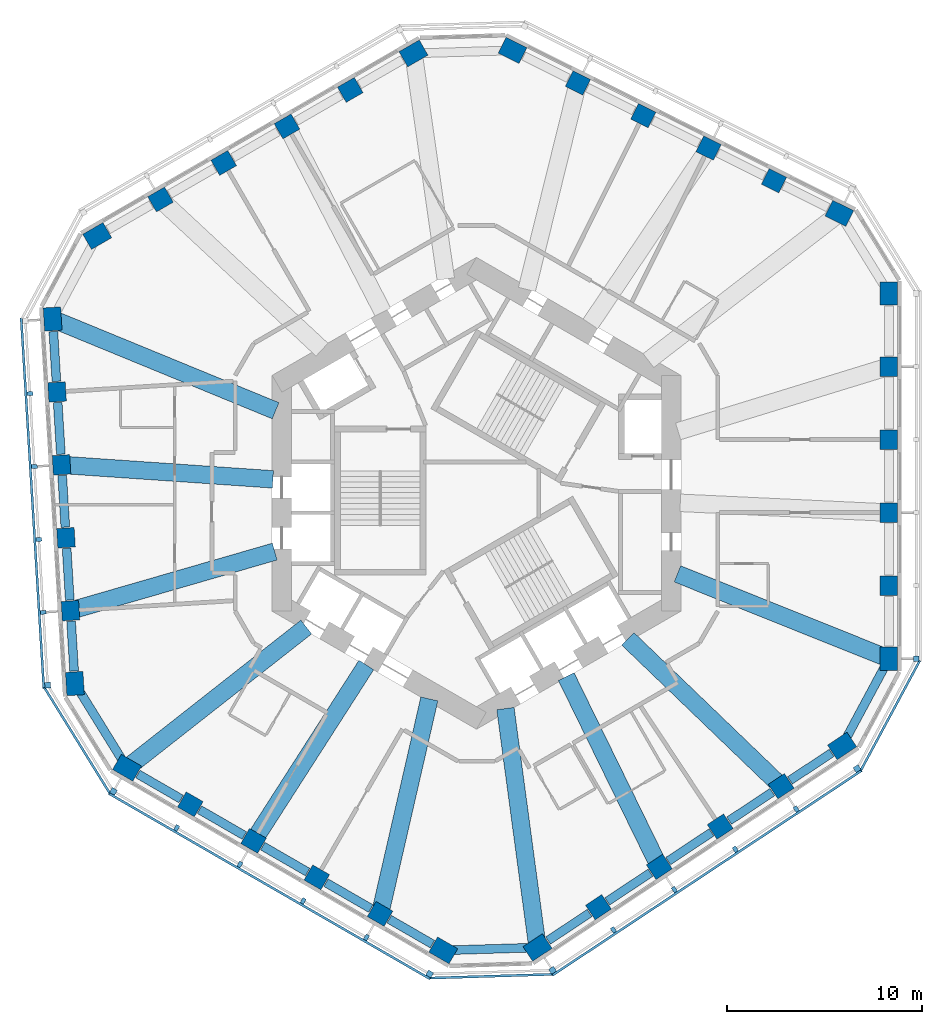
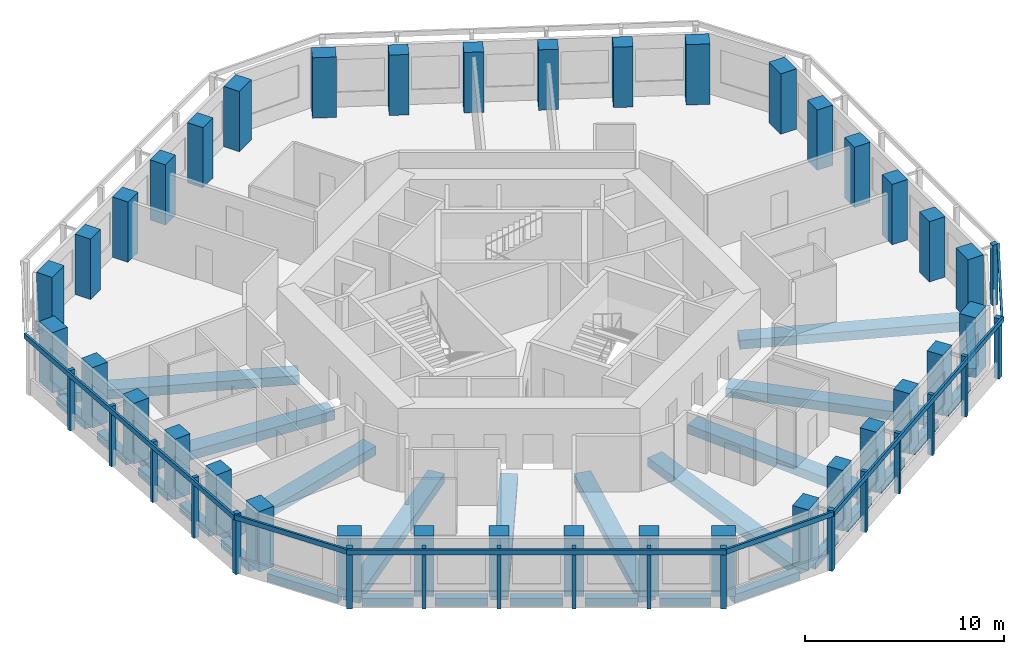
# One storey, part 1 of 11: 36 columns, 28 beams, 24 members, 7 elements without a shape of their own.
"""IFC4 building model written with IfcOpenShell, lengths in metres."""

from ifc_helpers import new_model, si_unit, direction, frame, origin, origin_2d, place, context, subcontext, project, spatial, rectangle, extrude, material, material_profile, profile_set, type_object, element, aggregate, save


model = new_model("IFC4")

# Units and contexts
model_context = context("Model", 3, precision=1e-05, world=origin(), true_north=direction((0.0, 1.0)))
body_context = subcontext(model_context, "Body", "Model", "MODEL_VIEW")
ifc_project = project(units=[si_unit("LENGTHUNIT", "METRE"), si_unit("AREAUNIT", "SQUARE_METRE"), si_unit("VOLUMEUNIT", "CUBIC_METRE"), si_unit("PLANEANGLEUNIT", "RADIAN"), si_unit("MASSUNIT", "GRAM", prefix="KILO")], contexts=[model_context])

# Site, building, storey
site_placement = place(None, origin())
site = spatial("IfcSite", under=ifc_project, at=site_placement, CompositionType="ELEMENT")
building_placement = place(site_placement, origin())
building = spatial("IfcBuilding", under=site, at=building_placement, Name="Vanh Sen Convention Tower", CompositionType="ELEMENT")
storey_placement = place(building_placement, frame((0.0, 0.0, 154.0)))
storey = spatial("IfcBuildingStorey", under=building, at=storey_placement, Name="L37", CompositionType="ELEMENT", Elevation=154.0)

# Columns
ifc_material_1 = material(Name="Concrete C80/95", Category="concrete")
ifc_material_profile_1 = material_profile(ifc_material_1, rectangle(XDim=1.0, YDim=0.89990234375, at=origin_2d()), Name="RC 1000X900")
ifc_profile_set_1 = profile_set([ifc_material_profile_1], Name="Concrete C80/95")
column_type_1 = type_object("IfcColumnType", Name="Facade column 1000 x 900 C80/95", PredefinedType="COLUMN", material=ifc_profile_set_1)
for number, where, z_axis, x_axis, name in (
    (1, (21.199951171875, -4.746826171875, 0.0), (0.0, 0.0, 1.0), (0.0, 1.0, 0.0), "Facade column 02 L37"),
    (2, (21.199951171875, -0.992919921875, 0.0), (0.0, 0.0, 1.0), (0.0, 1.0, 0.0), "Facade column 03 L37"),
    (3, (21.199951171875, 2.76123046875, 0.0), (0.0, 0.0, 1.0), (0.0, 1.0, 0.0), "Facade column 04 L37"),
    (4, (21.199951171875, 6.515380859375, 0.0), (0.0, 0.0, 1.0), (0.0, 1.0, 0.0), "Facade column 05 L37"),
    (5, (15.290283203125, 16.0654296875, 0.0), (0.0, 0.0, 1.0), (-0.894934361602, 0.44619781311, 0.0), "Facade column 08 L37"),
    (6, (11.9306640625, 17.740478515625, 0.0), (0.0, 0.0, 1.0), (-0.894934361602, 0.44619781311, 0.0), "Facade column 09 L37"),
    (7, (8.57080078125, 19.41552734375, 0.0), (0.0, 0.0, 1.0), (-0.894934361602, 0.44619781311, 0.0), "Facade column 10 L37"),
    (8, (5.211181640625, 21.0908203125, 0.0), (0.0, 0.0, 1.0), (-0.894934361602, 0.44619781311, 0.0), "Facade column 11 L37"),
    (9, (-6.489013671875, 20.733154296875, 0.0), (0.0, 0.0, 1.0), (-0.866025403784, -0.5, 0.0), "Facade column 14 L37"),
    (10, (-9.740234375, 18.856201171875, 0.0), (0.0, 0.0, 1.0), (-0.866025403784, -0.5, 0.0), "Facade column 15 L37"),
    (11, (-12.991455078125, 16.97900390625, 0.0), (0.0, 0.0, 1.0), (-0.866025403784, -0.5, 0.0), "Facade column 16 L37"),
    (12, (-16.242431640625, 15.10205078125, 0.0), (0.0, 0.0, 1.0), (-0.866025403784, -0.5, 0.0), "Facade column 17 L37"),
    (13, (-21.55810546875, 5.208984375, 0.0), (0.0, 0.0, 1.0), (0.061048539535, -0.998134798422, 0.0), "Facade column 20 L37"),
    (14, (-21.3291015625, 1.4619140625, 0.0), (0.0, 0.0, 1.0), (0.061048539535, -0.998134798422, 0.0), "Facade column 21 L37"),
    (15, (-21.099853515625, -2.28515625, 0.0), (0.0, 0.0, 1.0), (0.061048539535, -0.998134798422, 0.0), "Facade column 22 L37"),
    (16, (-20.87060546875, -6.0322265625, 0.0), (0.0, 0.0, 1.0), (0.061048539535, -0.998134798422, 0.0), "Facade column 23 L37"),
    (17, (-14.7109375, -15.986328125, 0.0), (0.0, 0.0, 1.0), (0.866025403784, -0.5, 0.0), "Facade column 26 L37"),
    (18, (-11.459716796875, -17.86328125, 0.0), (0.0, 0.0, 1.0), (0.866025403784, -0.5, 0.0), "Facade column 27 L37"),
    (19, (-8.20849609375, -19.740478515625, 0.0), (0.0, 0.0, 1.0), (0.866025403784, -0.5, 0.0), "Facade column 28 L37"),
    (20, (-4.95751953125, -21.617431640625, 0.0), (0.0, 0.0, 1.0), (0.866025403784, -0.5, 0.0), "Facade column 29 L37"),
    (21, (6.267822265625, -21.2744140625, 0.0), (0.0, 0.0, 1.0), (0.833885822067, 0.551936985312, 0.0), "Facade column 32 L37"),
    (22, (9.3984375, -19.202392578125, 0.0), (0.0, 0.0, 1.0), (0.833885822067, 0.551936985312, 0.0), "Facade column 33 L37"),
    (23, (12.52880859375, -17.13037109375, 0.0), (0.0, 0.0, 1.0), (0.833885822067, 0.551936985312, 0.0), "Facade column 34 L37"),
    (24, (15.659423828125, -15.058349609375, 0.0), (0.0, 0.0, 1.0), (0.833885822067, 0.551936985312, 0.0), "Facade column 35 L37"),
):
    element("IfcColumn", number, at=place(storey_placement, frame(where, z_axis=z_axis, x_axis=x_axis)), inside=storey, type_object=column_type_1, Name=name, PredefinedType="COLUMN", context=body_context, shape_type="SweptSolid", body=[
        extrude(rectangle(XDim=1.0, YDim=0.89990234375, at=origin_2d()), origin(), (0.0, 0.0, 1.0), 3.699951171875),
    ])
ifc_material_profile_2 = material_profile(ifc_material_1, rectangle(XDim=1.199951171875, YDim=0.89990234375, at=origin_2d()), Name="RC 1200X900")
ifc_profile_set_2 = profile_set([ifc_material_profile_2], Name="Concrete C80/95")
column_type_2 = type_object("IfcColumnType", Name="Facade corner column 1200 x 900 C80/95", PredefinedType="COLUMN", material=ifc_profile_set_2)
for number, where, z_axis, x_axis, name in (
    (25, (21.199951171875, -8.5009765625, 0.0), (0.0, 0.0, 1.0), (0.0, 1.0, 0.0), "Facade column 01 L37"),
    (26, (21.199951171875, 10.26953125, 0.0), (0.0, 0.0, 1.0), (0.0, 1.0, 0.0), "Facade column 06 L37"),
    (27, (18.64990234375, 14.390380859375, 0.0), (0.0, 0.0, 1.0), (-0.894934361602, 0.44619781311, 0.0), "Facade column 07 L37"),
    (28, (1.8515625, 22.765625, 0.0), (0.0, 0.0, 1.0), (-0.894934361602, 0.44619781311, 0.0), "Facade column 12 L37"),
    (29, (-3.23779296875, 22.610107421875, 0.0), (0.0, 0.0, 1.0), (-0.866025403784, -0.5, 0.0), "Facade column 13 L37"),
    (30, (-19.49365234375, 13.22509765625, 0.0), (0.0, 0.0, 1.0), (-0.866025403784, -0.5, 0.0), "Facade column 18 L37"),
    (31, (-21.787353515625, 8.956298828125, 0.0), (0.0, 0.0, 1.0), (0.061048539535, -0.998134798422, 0.0), "Facade column 19 L37"),
    (32, (-20.6416015625, -9.779296875, 0.0), (0.0, 0.0, 1.0), (0.061048539535, -0.998134798422, 0.0), "Facade column 24 L37"),
    (33, (-17.962158203125, -14.109130859375, 0.0), (0.0, 0.0, 1.0), (0.866025403784, -0.5, 0.0), "Facade column 25 L37"),
    (34, (-1.706298828125, -23.494384765625, 0.0), (0.0, 0.0, 1.0), (0.866025403784, -0.5, 0.0), "Facade column 30 L37"),
    (35, (3.137451171875, -23.346435546875, 0.0), (0.0, 0.0, 1.0), (0.833885822067, 0.551936985312, 0.0), "Facade column 31 L37"),
    (36, (18.789794921875, -12.986328125, 0.0), (0.0, 0.0, 1.0), (0.833885822067, 0.551936985312, 0.0), "Facade column 36 L37"),
):
    element("IfcColumn", number, at=place(storey_placement, frame(where, z_axis=z_axis, x_axis=x_axis)), inside=storey, type_object=column_type_2, Name=name, PredefinedType="COLUMN", context=body_context, shape_type="SweptSolid", body=[
        extrude(rectangle(XDim=1.199951171875, YDim=0.89990234375, at=origin_2d()), origin(), (0.0, 0.0, 1.0), 3.699951171875),
    ])

# Curtain wall, member
ifc_material_2 = material(Name="Concrete C50/60", Category="concrete")
curtain_wall_type = type_object("IfcCurtainWallType", Name="Outer skin office zone", PredefinedType="NOTDEFINED", material=ifc_material_2)
curtain_wall_1_placement = place(storey_placement, origin())
curtain_wall_1 = element("IfcCurtainWall", 37, at=curtain_wall_1_placement, inside=storey, type_object=curtain_wall_type, Name="OUTER SKIN E L37", PredefinedType="NOTDEFINED")
ifc_material_profile_3 = material_profile(ifc_material_2, rectangle(XDim=0.300048828125, YDim=0.300048828125, at=origin_2d()), Name="Outer skin precast corner fin 300 x 300")
ifc_profile_set_3 = profile_set([ifc_material_profile_3], Name="Concrete C50/60")
member_type_1 = type_object("IfcMemberType", Name="Outer skin precast corner fin 300 x 300", PredefinedType="MULLION", material=ifc_profile_set_3)
member_1_placement = place(storey_placement, frame((22.60009765625, -8.5009765625, 0.0), z_axis=(0.0, 0.0, 1.0), x_axis=(0.0, 1.0, 0.0)))
member_1 = element("IfcMember", 38, at=member_1_placement, type_object=member_type_1, Name="OUTER SKIN CORNER FIN 1 E L37", PredefinedType="MULLION", context=body_context, shape_type="SweptSolid", body=[
    extrude(rectangle(XDim=0.300048828125, YDim=0.300048828125, at=origin_2d()), origin(), (0.0, 0.0, 1.0), 3.699951171875),
])
aggregate(curtain_wall_1, [member_1])

curtain_wall_2_placement = place(storey_placement, origin())
curtain_wall_2 = element("IfcCurtainWall", 39, at=curtain_wall_2_placement, inside=storey, type_object=curtain_wall_type, Name="OUTER SKIN W L37", PredefinedType="NOTDEFINED")
member_2_placement = place(storey_placement, frame((-22.038818359375, -9.864990234375, 0.0), z_axis=(0.0, 0.0, 1.0), x_axis=(0.061048539535, -0.998134798422, 0.0)))
member_2 = element("IfcMember", 40, at=member_2_placement, type_object=member_type_1, Name="OUTER SKIN CORNER FIN 6 W L37", PredefinedType="MULLION", context=body_context, shape_type="SweptSolid", body=[
    extrude(rectangle(XDim=0.300048828125, YDim=0.300048828125, at=origin_2d()), origin(), (0.0, 0.0, 1.0), 3.699951171875),
])

# Curtain wall, members
curtain_wall_3_placement = place(storey_placement, origin())
curtain_wall_3 = element("IfcCurtainWall", 41, at=curtain_wall_3_placement, inside=storey, type_object=curtain_wall_type, Name="OUTER SKIN SW L37", PredefinedType="NOTDEFINED")
member_3_placement = place(storey_placement, frame((-18.662109375, -15.321533203125, 0.0), z_axis=(0.0, 0.0, 1.0), x_axis=(0.866025403784, -0.5, 0.0)))
member_3 = element("IfcMember", 42, at=member_3_placement, type_object=member_type_1, Name="OUTER SKIN CORNER FIN 1 SW L37", PredefinedType="MULLION", context=body_context, shape_type="SweptSolid", body=[
    extrude(rectangle(XDim=0.300048828125, YDim=0.300048828125, at=origin_2d()), origin(), (0.0, 0.0, 1.0), 3.699951171875),
])
member_4_placement = place(storey_placement, frame((-2.40625, -24.706787109375, 0.0), z_axis=(0.0, 0.0, 1.0), x_axis=(0.866025403784, -0.5, 0.0)))
member_4 = element("IfcMember", 43, at=member_4_placement, type_object=member_type_1, Name="OUTER SKIN CORNER FIN 6 SW L37", PredefinedType="MULLION", context=body_context, shape_type="SweptSolid", body=[
    extrude(rectangle(XDim=0.300048828125, YDim=0.300048828125, at=origin_2d()), origin(), (0.0, 0.0, 1.0), 3.699951171875),
])

curtain_wall_4_placement = place(storey_placement, origin())
curtain_wall_4 = element("IfcCurtainWall", 44, at=curtain_wall_4_placement, inside=storey, type_object=curtain_wall_type, Name="OUTER SKIN SE L37", PredefinedType="NOTDEFINED")
member_5_placement = place(storey_placement, frame((3.91015625, -24.513916015625, 0.0), z_axis=(0.0, 0.0, 1.0), x_axis=(0.833885822067, 0.551936985312, 0.0)))
member_5 = element("IfcMember", 45, at=member_5_placement, type_object=member_type_1, Name="OUTER SKIN CORNER FIN 1 SE L37", PredefinedType="MULLION", context=body_context, shape_type="SweptSolid", body=[
    extrude(rectangle(XDim=0.300048828125, YDim=0.300048828125, at=origin_2d()), origin(), (0.0, 0.0, 1.0), 3.699951171875),
])
member_6_placement = place(storey_placement, frame((19.5625, -14.15380859375, 0.0), z_axis=(0.0, 0.0, 1.0), x_axis=(0.833885822067, 0.551936985312, 0.0)))
member_6 = element("IfcMember", 46, at=member_6_placement, type_object=member_type_1, Name="OUTER SKIN CORNER FIN 6 SE L37", PredefinedType="MULLION", context=body_context, shape_type="SweptSolid", body=[
    extrude(rectangle(XDim=0.300048828125, YDim=0.300048828125, at=origin_2d()), origin(), (0.0, 0.0, 1.0), 3.699951171875),
])

# Member
ifc_material_profile_4 = material_profile(ifc_material_2, rectangle(XDim=0.199951171875, YDim=0.300048828125, at=origin_2d()), Name="Outer skin precast fin 200 x 300")
ifc_profile_set_4 = profile_set([ifc_material_profile_4], Name="Concrete C50/60")
member_type_2 = type_object("IfcMemberType", Name="Outer skin precast fin 200 x 300", PredefinedType="MULLION", material=ifc_profile_set_4)
member_7_placement = place(storey_placement, frame((-22.95556640625, 5.12353515625, 0.0), z_axis=(0.0, 0.0, 1.0), x_axis=(0.061048539535, -0.998134798422, 0.0)))
member_7 = element("IfcMember", 47, at=member_7_placement, type_object=member_type_2, Name="OUTER SKIN fin 2 W L37", PredefinedType="MULLION", context=body_context, shape_type="SweptSolid", body=[
    extrude(rectangle(XDim=0.199951171875, YDim=0.300048828125, at=origin_2d()), origin(), (0.0, 0.0, 1.0), 3.699951171875),
])

member_8_placement = place(storey_placement, frame((-22.726318359375, 1.37646484375, 0.0), z_axis=(0.0, 0.0, 1.0), x_axis=(0.061048539535, -0.998134798422, 0.0)))
member_8 = element("IfcMember", 48, at=member_8_placement, type_object=member_type_2, Name="OUTER SKIN fin 3 W L37", PredefinedType="MULLION", context=body_context, shape_type="SweptSolid", body=[
    extrude(rectangle(XDim=0.199951171875, YDim=0.300048828125, at=origin_2d()), origin(), (0.0, 0.0, 1.0), 3.699951171875),
])

member_9_placement = place(storey_placement, frame((-22.497314453125, -2.37060546875, 0.0), z_axis=(0.0, 0.0, 1.0), x_axis=(0.061048539535, -0.998134798422, 0.0)))
member_9 = element("IfcMember", 49, at=member_9_placement, type_object=member_type_2, Name="OUTER SKIN fin 4 W L37", PredefinedType="MULLION", context=body_context, shape_type="SweptSolid", body=[
    extrude(rectangle(XDim=0.199951171875, YDim=0.300048828125, at=origin_2d()), origin(), (0.0, 0.0, 1.0), 3.699951171875),
])

member_10_placement = place(storey_placement, frame((-22.26806640625, -6.117919921875, 0.0), z_axis=(0.0, 0.0, 1.0), x_axis=(0.061048539535, -0.998134798422, 0.0)))
member_10 = element("IfcMember", 50, at=member_10_placement, type_object=member_type_2, Name="OUTER SKIN fin 5 W L37", PredefinedType="MULLION", context=body_context, shape_type="SweptSolid", body=[
    extrude(rectangle(XDim=0.199951171875, YDim=0.300048828125, at=origin_2d()), origin(), (0.0, 0.0, 1.0), 3.699951171875),
])

member_11_placement = place(storey_placement, frame((-15.410888671875, -17.19873046875, 0.0), z_axis=(0.0, 0.0, 1.0), x_axis=(0.866025403784, -0.5, 0.0)))
member_11 = element("IfcMember", 51, at=member_11_placement, type_object=member_type_2, Name="OUTER SKIN fin 2 SW L37", PredefinedType="MULLION", context=body_context, shape_type="SweptSolid", body=[
    extrude(rectangle(XDim=0.199951171875, YDim=0.300048828125, at=origin_2d()), origin(), (0.0, 0.0, 1.0), 3.699951171875),
])

member_12_placement = place(storey_placement, frame((-12.159912109375, -19.07568359375, 0.0), z_axis=(0.0, 0.0, 1.0), x_axis=(0.866025403784, -0.5, 0.0)))
member_12 = element("IfcMember", 52, at=member_12_placement, type_object=member_type_2, Name="OUTER SKIN fin 3 SW L37", PredefinedType="MULLION", context=body_context, shape_type="SweptSolid", body=[
    extrude(rectangle(XDim=0.199951171875, YDim=0.300048828125, at=origin_2d()), origin(), (0.0, 0.0, 1.0), 3.699951171875),
])

member_13_placement = place(storey_placement, frame((-8.90869140625, -20.952880859375, 0.0), z_axis=(0.0, 0.0, 1.0), x_axis=(0.866025403784, -0.5, 0.0)))
member_13 = element("IfcMember", 53, at=member_13_placement, type_object=member_type_2, Name="OUTER SKIN fin 4 SW L37", PredefinedType="MULLION", context=body_context, shape_type="SweptSolid", body=[
    extrude(rectangle(XDim=0.199951171875, YDim=0.300048828125, at=origin_2d()), origin(), (0.0, 0.0, 1.0), 3.699951171875),
])

member_14_placement = place(storey_placement, frame((-5.657470703125, -22.829833984375, 0.0), z_axis=(0.0, 0.0, 1.0), x_axis=(0.866025403784, -0.5, 0.0)))
member_14 = element("IfcMember", 54, at=member_14_placement, type_object=member_type_2, Name="OUTER SKIN fin 5 SW L37", PredefinedType="MULLION", context=body_context, shape_type="SweptSolid", body=[
    extrude(rectangle(XDim=0.199951171875, YDim=0.300048828125, at=origin_2d()), origin(), (0.0, 0.0, 1.0), 3.699951171875),
])

member_15_placement = place(storey_placement, frame((7.04052734375, -22.44189453125, 0.0), z_axis=(0.0, 0.0, 1.0), x_axis=(0.833885822067, 0.551936985312, 0.0)))
member_15 = element("IfcMember", 55, at=member_15_placement, type_object=member_type_2, Name="OUTER SKIN fin 2 SE L37", PredefinedType="MULLION", context=body_context, shape_type="SweptSolid", body=[
    extrude(rectangle(XDim=0.199951171875, YDim=0.300048828125, at=origin_2d()), origin(), (0.0, 0.0, 1.0), 3.699951171875),
])

member_16_placement = place(storey_placement, frame((10.171142578125, -20.369873046875, 0.0), z_axis=(0.0, 0.0, 1.0), x_axis=(0.833885822067, 0.551936985312, 0.0)))
member_16 = element("IfcMember", 56, at=member_16_placement, type_object=member_type_2, Name="OUTER SKIN fin 3 SE L37", PredefinedType="MULLION", context=body_context, shape_type="SweptSolid", body=[
    extrude(rectangle(XDim=0.199951171875, YDim=0.300048828125, at=origin_2d()), origin(), (0.0, 0.0, 1.0), 3.699951171875),
])

member_17_placement = place(storey_placement, frame((13.301513671875, -18.2978515625, 0.0), z_axis=(0.0, 0.0, 1.0), x_axis=(0.833885822067, 0.551936985312, 0.0)))
member_17 = element("IfcMember", 57, at=member_17_placement, type_object=member_type_2, Name="OUTER SKIN fin 4 SE L37", PredefinedType="MULLION", context=body_context, shape_type="SweptSolid", body=[
    extrude(rectangle(XDim=0.199951171875, YDim=0.300048828125, at=origin_2d()), origin(), (0.0, 0.0, 1.0), 3.699951171875),
])

member_18_placement = place(storey_placement, frame((16.43212890625, -16.225830078125, 0.0), z_axis=(0.0, 0.0, 1.0), x_axis=(0.833885822067, 0.551936985312, 0.0)))
member_18 = element("IfcMember", 58, at=member_18_placement, type_object=member_type_2, Name="OUTER SKIN fin 5 SE L37", PredefinedType="MULLION", context=body_context, shape_type="SweptSolid", body=[
    extrude(rectangle(XDim=0.199951171875, YDim=0.300048828125, at=origin_2d()), origin(), (0.0, 0.0, 1.0), 3.699951171875),
])

ifc_material_profile_5 = material_profile(ifc_material_2, rectangle(XDim=0.1201171875, YDim=0.300048828125, at=origin_2d()), Name="Outer skin precast spandrel band 300 x 120")
ifc_profile_set_5 = profile_set([ifc_material_profile_5], Name="Concrete C50/60")
member_type_3 = type_object("IfcMemberType", Name="Outer skin precast spandrel band 300 x 120", PredefinedType="USERDEFINED", material=ifc_profile_set_5)
member_19_placement = place(storey_placement, frame((-23.403564453125, 9.007568359375, 3.550048828125), z_axis=(0.061052799403, -0.998134537868, 0.0), x_axis=(0.998134537868, 0.061052799403, 0.0)))
member_19 = element("IfcMember", 59, at=member_19_placement, type_object=member_type_3, Name="OUTER SKIN spandrel band W L37", ObjectType="TRANSOM", PredefinedType="USERDEFINED", context=body_context, shape_type="SweptSolid", body=[
    extrude(rectangle(XDim=0.1201171875, YDim=0.300048828125, at=origin_2d()), origin(), (0.0, 0.0, 1.0), 19.070556640625),
])

aggregate(curtain_wall_2, [member_7, member_8, member_9, member_10, member_2, member_19])

# Curtain wall, member
curtain_wall_5_placement = place(storey_placement, origin())
curtain_wall_5 = element("IfcCurtainWall", 60, at=curtain_wall_5_placement, inside=storey, type_object=curtain_wall_type, Name="OUTER SKIN CH4 L37", PredefinedType="NOTDEFINED")
member_20_placement = place(storey_placement, frame((-22.217529296875, -9.975341796875, 3.550048828125), z_axis=(0.526207913146, -0.85035594438, 0.0), x_axis=(0.85035594438, 0.526207913146, 0.0)))
member_20 = element("IfcMember", 61, at=member_20_placement, type_object=member_type_3, Name="OUTER SKIN spandrel band CH4 L37", ObjectType="TRANSOM", PredefinedType="USERDEFINED", context=body_context, shape_type="SweptSolid", body=[
    extrude(rectangle(XDim=0.1201171875, YDim=0.300048828125, at=origin_2d()), origin(), (0.0, 0.0, 1.0), 6.4169921875),
])
aggregate(curtain_wall_5, [member_20])

# Member
member_21_placement = place(storey_placement, frame((-18.89697265625, -15.428466796875, 3.550048828125), z_axis=(0.866023136587, -0.500003926881, 0.0), x_axis=(0.500003926881, 0.866023136587, 0.0)))
member_21 = element("IfcMember", 62, at=member_21_placement, type_object=member_type_3, Name="OUTER SKIN spandrel band SW L37", ObjectType="TRANSOM", PredefinedType="USERDEFINED", context=body_context, shape_type="SweptSolid", body=[
    extrude(rectangle(XDim=0.1201171875, YDim=0.300048828125, at=origin_2d()), origin(), (0.0, 0.0, 1.0), 19.070556640625),
])

aggregate(curtain_wall_3, [member_3, member_11, member_12, member_13, member_14, member_4, member_21])

# Curtain wall, member
curtain_wall_6_placement = place(storey_placement, origin())
curtain_wall_6 = element("IfcCurtainWall", 63, at=curtain_wall_6_placement, inside=storey, type_object=curtain_wall_type, Name="OUTER SKIN CH5 L37", PredefinedType="NOTDEFINED")
member_22_placement = place(storey_placement, frame((-2.39990234375, -24.916748046875, 3.550048828125), z_axis=(0.99953413443, 0.030520716071, 0.0), x_axis=(-0.030520716071, 0.99953413443, 0.0)))
member_22 = element("IfcMember", 64, at=member_22_placement, type_object=member_type_3, Name="OUTER SKIN spandrel band CH5 L37", ObjectType="TRANSOM", PredefinedType="USERDEFINED", context=body_context, shape_type="SweptSolid", body=[
    extrude(rectangle(XDim=0.1201171875, YDim=0.300048828125, at=origin_2d()), origin(), (0.0, 0.0, 1.0), 6.3193359375),
])
aggregate(curtain_wall_6, [member_22])

# Member
member_23_placement = place(storey_placement, frame((3.90087890625, -24.771728515625, 3.550048828125), z_axis=(0.833891134859, 0.551928958475, 0.0), x_axis=(-0.551928958475, 0.833891134859, 0.0)))
member_23 = element("IfcMember", 65, at=member_23_placement, type_object=member_type_3, Name="OUTER SKIN spandrel band SE L37", ObjectType="TRANSOM", PredefinedType="USERDEFINED", context=body_context, shape_type="SweptSolid", body=[
    extrude(rectangle(XDim=0.1201171875, YDim=0.300048828125, at=origin_2d()), origin(), (0.0, 0.0, 1.0), 19.070556640625),
])

aggregate(curtain_wall_4, [member_5, member_15, member_16, member_17, member_18, member_6, member_23])

# Curtain wall, member
curtain_wall_7_placement = place(storey_placement, origin())
curtain_wall_7 = element("IfcCurtainWall", 66, at=curtain_wall_7_placement, inside=storey, type_object=curtain_wall_type, Name="OUTER SKIN CH6 L37", PredefinedType="NOTDEFINED")
member_24_placement = place(storey_placement, frame((19.74755859375, -14.253173828125, 3.550048828125), z_axis=(0.473316922434, 0.880892213008, 0.0), x_axis=(-0.880892213008, 0.473316922434, 0.0)))
member_24 = element("IfcMember", 67, at=member_24_placement, type_object=member_type_3, Name="OUTER SKIN spandrel band CH6 L37", ObjectType="TRANSOM", PredefinedType="USERDEFINED", context=body_context, shape_type="SweptSolid", body=[
    extrude(rectangle(XDim=0.1201171875, YDim=0.300048828125, at=origin_2d()), origin(), (0.0, 0.0, 1.0), 6.417236328125),
])
aggregate(curtain_wall_7, [member_24])

# Beams
ifc_material_3 = material(Name="Concrete C50/60", Category="concrete")
ifc_material_profile_6 = material_profile(ifc_material_3, rectangle(XDim=0.89990234375, YDim=0.550048828125, at=origin_2d()), Name="RC 900X550")
ifc_profile_set_6 = profile_set([ifc_material_profile_6], Name="Concrete C50/60")
beam_type_1 = type_object("IfcBeamType", Name="Radial floor beam 900 x 550", PredefinedType="BEAM", material=ifc_profile_set_6)
beam_1_placement = place(storey_placement, frame((20.922119140625, -8.3896484375, -0.554931640625), z_axis=(-0.928156247891, 0.372190783739, 0.0), x_axis=(-0.372190783739, -0.928156247891, 0.0)))
element("IfcBeam", 68, at=beam_1_placement, inside=storey, type_object=beam_type_1, Name="Radial beam 01 L37", PredefinedType="BEAM", context=body_context, shape_type="SweptSolid", body=[
    extrude(rectangle(XDim=0.89990234375, YDim=0.550048828125, at=origin_2d()), origin(), (0.0, 0.0, 1.0), 11.414306640625),
])
beam_2_placement = place(storey_placement, frame((-21.53125, 8.850830078125, -0.554931640625), z_axis=(0.92490243395, -0.380204533998, 0.0), x_axis=(0.380204533998, 0.92490243395, 0.0)))
element("IfcBeam", 69, at=beam_2_placement, inside=storey, type_object=beam_type_1, Name="Radial beam 10 L37", PredefinedType="BEAM", context=body_context, shape_type="SweptSolid", body=[
    extrude(rectangle(XDim=0.89990234375, YDim=0.550048828125, at=origin_2d()), origin(), (0.0, 0.0, 1.0), 12.116943359375),
])
beam_3_placement = place(storey_placement, frame((-20.939697265625, 1.435302734375, -0.554931640625), z_axis=(0.997659241785, -0.068381556588, 0.0), x_axis=(0.068381556588, 0.997659241785, 0.0)))
element("IfcBeam", 70, at=beam_3_placement, inside=storey, type_object=beam_type_1, Name="Radial beam 11 L37", PredefinedType="BEAM", context=body_context, shape_type="SweptSolid", body=[
    extrude(rectangle(XDim=0.89990234375, YDim=0.550048828125, at=origin_2d()), origin(), (0.0, 0.0, 1.0), 10.500244140625),
])
beam_4_placement = place(storey_placement, frame((-20.529296875, -5.93359375, -0.554931640625), z_axis=(0.960678745427, 0.277662291436, 0.0), x_axis=(-0.277662291436, 0.960678745427, 0.0)))
element("IfcBeam", 71, at=beam_4_placement, inside=storey, type_object=beam_type_1, Name="Radial beam 12 L37", PredefinedType="BEAM", context=body_context, shape_type="SweptSolid", body=[
    extrude(rectangle(XDim=0.89990234375, YDim=0.550048828125, at=origin_2d()), origin(), (0.0, 0.0, 1.0), 10.574951171875),
])
beam_5_placement = place(storey_placement, frame((-17.726806640625, -13.92431640625, -0.554931640625), z_axis=(0.786405168583, 0.61771102534, 0.0), x_axis=(-0.61771102534, 0.786405168583, 0.0)))
element("IfcBeam", 72, at=beam_5_placement, inside=storey, type_object=beam_type_1, Name="Radial beam 13 L37", PredefinedType="BEAM", context=body_context, shape_type="SweptSolid", body=[
    extrude(rectangle(XDim=0.89990234375, YDim=0.550048828125, at=origin_2d()), origin(), (0.0, 0.0, 1.0), 11.414306640625),
])
beam_6_placement = place(storey_placement, frame((-11.230712890625, -17.506103515625, -0.554931640625), z_axis=(0.539962921318, 0.841688804489, 0.0), x_axis=(-0.841688804489, 0.539962921318, 0.0)))
element("IfcBeam", 73, at=beam_6_placement, inside=storey, type_object=beam_type_1, Name="Radial beam 14 L37", PredefinedType="BEAM", context=body_context, shape_type="SweptSolid", body=[
    extrude(rectangle(XDim=0.89990234375, YDim=0.550048828125, at=origin_2d()), origin(), (0.0, 0.0, 1.0), 10.3134765625),
])
beam_7_placement = place(storey_placement, frame((-4.88427734375, -21.29833984375, -0.554931640625), z_axis=(0.223523194082, 0.974698610703, 0.0), x_axis=(-0.974698610703, 0.223523194082, 0.0)))
element("IfcBeam", 74, at=beam_7_placement, inside=storey, type_object=beam_type_1, Name="Radial beam 15 L37", PredefinedType="BEAM", context=body_context, shape_type="SweptSolid", body=[
    extrude(rectangle(XDim=0.89990234375, YDim=0.550048828125, at=origin_2d()), origin(), (0.0, 0.0, 1.0), 11.009765625),
])
beam_8_placement = place(storey_placement, frame((3.1005859375, -23.072021484375, -0.554931640625), z_axis=(-0.133182520442, 0.991091527685, 0.0), x_axis=(-0.991091527685, -0.133182520442, 0.0)))
element("IfcBeam", 75, at=beam_8_placement, inside=storey, type_object=beam_type_1, Name="Radial beam 16 L37", PredefinedType="BEAM", context=body_context, shape_type="SweptSolid", body=[
    extrude(rectangle(XDim=0.89990234375, YDim=0.550048828125, at=origin_2d()), origin(), (0.0, 0.0, 1.0), 12.116943359375),
])
beam_9_placement = place(storey_placement, frame((9.226806640625, -18.85205078125, -0.554931640625), z_axis=(-0.439589583386, 0.898198752047, 0.0), x_axis=(-0.898198752047, -0.439589583386, 0.0)))
element("IfcBeam", 76, at=beam_9_placement, inside=storey, type_object=beam_type_1, Name="Radial beam 17 L37", PredefinedType="BEAM", context=body_context, shape_type="SweptSolid", body=[
    extrude(rectangle(XDim=0.89990234375, YDim=0.550048828125, at=origin_2d()), origin(), (0.0, 0.0, 1.0), 10.5),
])
beam_10_placement = place(storey_placement, frame((15.4033203125, -14.81201171875, -0.554931640625), z_axis=(-0.720812213143, 0.693130401428, 0.0), x_axis=(-0.693130401428, -0.720812213143, 0.0)))
element("IfcBeam", 77, at=beam_10_placement, inside=storey, type_object=beam_type_1, Name="Radial beam 18 L37", PredefinedType="BEAM", context=body_context, shape_type="SweptSolid", body=[
    extrude(rectangle(XDim=0.89990234375, YDim=0.550048828125, at=origin_2d()), origin(), (0.0, 0.0, 1.0), 10.57470703125),
])
ifc_material_profile_7 = material_profile(ifc_material_3, rectangle(XDim=0.449951171875, YDim=0.5, at=origin_2d()), Name="RC 450X500")
ifc_profile_set_7 = profile_set([ifc_material_profile_7], Name="Concrete C50/60")
beam_type_2 = type_object("IfcBeamType", Name="Spandrel beam 450 x 500", PredefinedType="SPANDREL", material=ifc_profile_set_7)
beam_11_placement = place(storey_placement, frame((-21.748046875, 8.3125, -0.530029296875), z_axis=(0.061026827248, -0.998136126165, 0.0), x_axis=(0.998136126165, 0.061026827248, 0.0)))
element("IfcBeam", 78, at=beam_11_placement, inside=storey, type_object=beam_type_2, Name="Spandrel beam 19 L37", PredefinedType="SPANDREL", context=body_context, shape_type="SweptSolid", body=[
    extrude(rectangle(XDim=0.449951171875, YDim=0.5, at=origin_2d()), origin(), (0.0, 0.0, 1.0), 2.564453125),
])
beam_12_placement = place(storey_placement, frame((-21.52490234375, 4.665283203125, -0.530029296875), z_axis=(0.061026226429, -0.9981361629, 0.0), x_axis=(0.9981361629, 0.061026226429, 0.0)))
element("IfcBeam", 79, at=beam_12_placement, inside=storey, type_object=beam_type_2, Name="Spandrel beam 20 L37", PredefinedType="SPANDREL", context=body_context, shape_type="SweptSolid", body=[
    extrude(rectangle(XDim=0.449951171875, YDim=0.5, at=origin_2d()), origin(), (0.0, 0.0, 1.0), 2.664306640625),
])
for number, where, z_axis, x_axis, name in (
    (80, (-21.295654296875, 0.91796875, -0.530029296875), (0.061031808409, -0.998135821601, 0.0), (0.998135821601, 0.061031808409, 0.0), "Spandrel beam 21 L37"),
    (81, (-21.06640625, -2.8291015625, -0.530029296875), (0.060940509637, -0.998141399946, 0.0), (0.998141399946, 0.060940509637, 0.0), "Spandrel beam 22 L37"),
):
    element("IfcBeam", number, at=place(storey_placement, frame(where, z_axis=z_axis, x_axis=x_axis)), inside=storey, type_object=beam_type_2, Name=name, PredefinedType="SPANDREL", context=body_context, shape_type="SweptSolid", body=[
        extrude(rectangle(XDim=0.449951171875, YDim=0.5, at=origin_2d()), origin(), (0.0, 0.0, 1.0), 2.6640625),
    ])
beam_13_placement = place(storey_placement, frame((-20.83740234375, -6.576171875, -0.530029296875), z_axis=(0.061032627068, -0.998135771543, 0.0), x_axis=(0.998135771543, 0.061032627068, 0.0)))
element("IfcBeam", 82, at=beam_13_placement, inside=storey, type_object=beam_type_2, Name="Spandrel beam 23 L37", PredefinedType="SPANDREL", context=body_context, shape_type="SweptSolid", body=[
    extrude(rectangle(XDim=0.449951171875, YDim=0.5, at=origin_2d()), origin(), (0.0, 0.0, 1.0), 2.564208984375),
])
beam_14_placement = place(storey_placement, frame((-20.3642578125, -10.2275390625, -0.530029296875), z_axis=(0.526210982295, -0.850354045156, 0.0), x_axis=(0.850354045156, 0.526210982295, 0.0)))
element("IfcBeam", 83, at=beam_14_placement, inside=storey, type_object=beam_type_2, Name="Spandrel beam 24 L37", PredefinedType="SPANDREL", context=body_context, shape_type="SweptSolid", body=[
    extrude(rectangle(XDim=0.449951171875, YDim=0.5, at=origin_2d()), origin(), (0.0, 0.0, 1.0), 4.037841796875),
])
beam_15_placement = place(storey_placement, frame((-17.403564453125, -14.431640625, -0.530029296875), z_axis=(0.866008007854, -0.500030129425, 0.0), x_axis=(0.500030129425, 0.866008007854, 0.0)))
element("IfcBeam", 84, at=beam_15_placement, inside=storey, type_object=beam_type_2, Name="Spandrel beam 25 L37", PredefinedType="SPANDREL", context=body_context, shape_type="SweptSolid", body=[
    extrude(rectangle(XDim=0.449951171875, YDim=0.5, at=origin_2d()), origin(), (0.0, 0.0, 1.0), 2.564208984375),
])
for number, where, z_axis, x_axis, name in (
    (85, (-14.239013671875, -16.2587890625, -0.530029296875), (0.866023818221, -0.500002746266, 0.0), (0.500002746266, 0.866023818221, 0.0), "Spandrel beam 26 L37"),
    (86, (-10.98779296875, -18.1357421875, -0.530029296875), (0.8659841347, -0.500071473339, 0.0), (0.500071473339, 0.8659841347, 0.0), "Spandrel beam 27 L37"),
    (87, (-7.736572265625, -20.012939453125, -0.530029296875), (0.866023818221, -0.500002746266, 0.0), (0.500002746266, 0.866023818221, 0.0), "Spandrel beam 28 L37"),
):
    element("IfcBeam", number, at=place(storey_placement, frame(where, z_axis=z_axis, x_axis=x_axis)), inside=storey, type_object=beam_type_2, Name=name, PredefinedType="SPANDREL", context=body_context, shape_type="SweptSolid", body=[
        extrude(rectangle(XDim=0.449951171875, YDim=0.5, at=origin_2d()), origin(), (0.0, 0.0, 1.0), 2.6640625),
    ])
beam_16_placement = place(storey_placement, frame((-4.485595703125, -21.889892578125, -0.530029296875), z_axis=(0.866008007854, -0.500030129425, 0.0), x_axis=(0.500030129425, 0.866008007854, 0.0)))
element("IfcBeam", 88, at=beam_16_placement, inside=storey, type_object=beam_type_2, Name="Spandrel beam 29 L37", PredefinedType="SPANDREL", context=body_context, shape_type="SweptSolid", body=[
    extrude(rectangle(XDim=0.449951171875, YDim=0.5, at=origin_2d()), origin(), (0.0, 0.0, 1.0), 2.564208984375),
])
beam_17_placement = place(storey_placement, frame((-1.219970703125, -23.4794921875, -0.530029296875), z_axis=(0.999534445971, 0.030510511595, 0.0), x_axis=(-0.030510511595, 0.999534445971, 0.0)))
element("IfcBeam", 89, at=beam_17_placement, inside=storey, type_object=beam_type_2, Name="Spandrel beam 30 L37", PredefinedType="SPANDREL", context=body_context, shape_type="SweptSolid", body=[
    extrude(rectangle(XDim=0.449951171875, YDim=0.5, at=origin_2d()), origin(), (0.0, 0.0, 1.0), 3.872802734375),
])
beam_18_placement = place(storey_placement, frame((3.67529296875, -22.990478515625, -0.530029296875), z_axis=(0.833876783429, 0.551950640961, 0.0), x_axis=(-0.551950640961, 0.833876783429, 0.0)))
element("IfcBeam", 90, at=beam_18_placement, inside=storey, type_object=beam_type_2, Name="Spandrel beam 31 L37", PredefinedType="SPANDREL", context=body_context, shape_type="SweptSolid", body=[
    extrude(rectangle(XDim=0.449951171875, YDim=0.5, at=origin_2d()), origin(), (0.0, 0.0, 1.0), 2.564208984375),
])
beam_19_placement = place(storey_placement, frame((6.722412109375, -20.9736328125, -0.530029296875), z_axis=(0.833906773816, 0.551905329368, 0.0), x_axis=(-0.551905329368, 0.833906773816, 0.0)))
element("IfcBeam", 91, at=beam_19_placement, inside=storey, type_object=beam_type_2, Name="Spandrel beam 32 L37", PredefinedType="SPANDREL", context=body_context, shape_type="SweptSolid", body=[
    extrude(rectangle(XDim=0.449951171875, YDim=0.5, at=origin_2d()), origin(), (0.0, 0.0, 1.0), 2.663818359375),
])
beam_20_placement = place(storey_placement, frame((9.852783203125, -18.901611328125, -0.530029296875), z_axis=(0.8338925114, 0.551926878699, 0.0), x_axis=(-0.551926878699, 0.8338925114, 0.0)))
element("IfcBeam", 92, at=beam_20_placement, inside=storey, type_object=beam_type_2, Name="Spandrel beam 33 L37", PredefinedType="SPANDREL", context=body_context, shape_type="SweptSolid", body=[
    extrude(rectangle(XDim=0.449951171875, YDim=0.5, at=origin_2d()), origin(), (0.0, 0.0, 1.0), 2.664306640625),
])
beam_21_placement = place(storey_placement, frame((12.9833984375, -16.82958984375, -0.530029296875), z_axis=(0.833864593577, 0.551969056722, 0.0), x_axis=(-0.551969056722, 0.833864593577, 0.0)))
element("IfcBeam", 93, at=beam_21_placement, inside=storey, type_object=beam_type_2, Name="Spandrel beam 34 L37", PredefinedType="SPANDREL", context=body_context, shape_type="SweptSolid", body=[
    extrude(rectangle(XDim=0.449951171875, YDim=0.5, at=origin_2d()), origin(), (0.0, 0.0, 1.0), 2.6640625),
])
beam_22_placement = place(storey_placement, frame((16.114013671875, -14.757568359375, -0.530029296875), z_axis=(0.833847773334, 0.551994466372, 0.0), x_axis=(-0.551994466372, 0.833847773334, 0.0)))
element("IfcBeam", 94, at=beam_22_placement, inside=storey, type_object=beam_type_2, Name="Spandrel beam 35 L37", PredefinedType="SPANDREL", context=body_context, shape_type="SweptSolid", body=[
    extrude(rectangle(XDim=0.449951171875, YDim=0.5, at=origin_2d()), origin(), (0.0, 0.0, 1.0), 2.56396484375),
])
beam_23_placement = place(storey_placement, frame((19.039306640625, -12.522216796875, -0.530029296875), z_axis=(0.473331705403, 0.880884269731, 0.0), x_axis=(-0.880884269731, 0.473331705403, 0.0)))
element("IfcBeam", 95, at=beam_23_placement, inside=storey, type_object=beam_type_2, Name="Spandrel beam 36 L37", PredefinedType="SPANDREL", context=body_context, shape_type="SweptSolid", body=[
    extrude(rectangle(XDim=0.449951171875, YDim=0.5, at=origin_2d()), origin(), (0.0, 0.0, 1.0), 4.0380859375),
])

save(model, "model.ifc")
